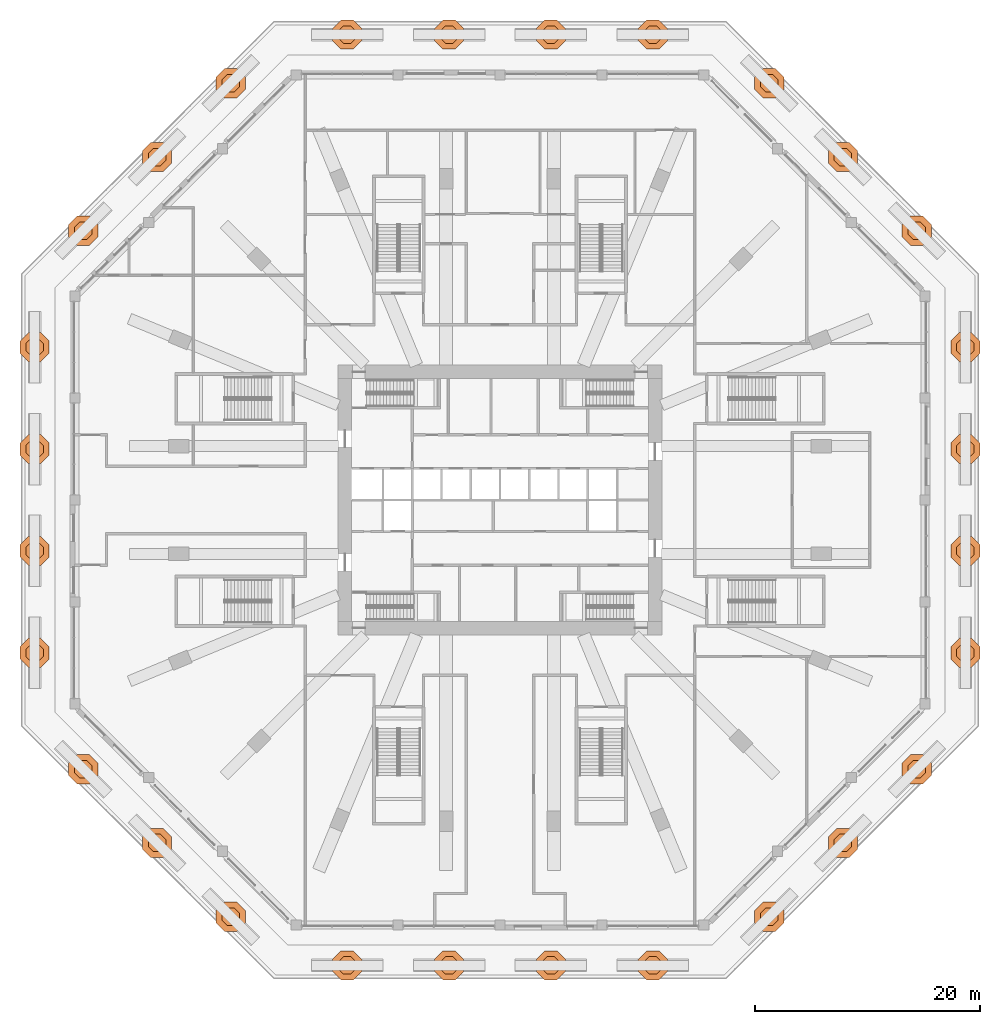
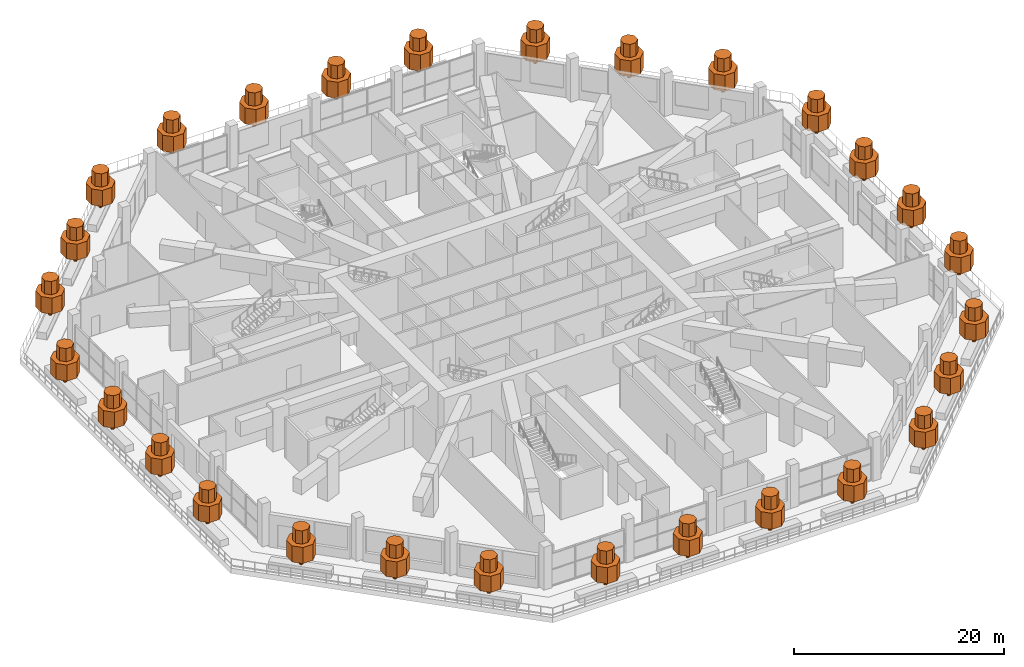
# One storey, part 25 of 25: 28 geographic elements.
"""IFC4 building model written with IfcOpenShell, lengths in metres."""

from ifc_helpers import new_model, si_unit, direction, frame, origin, place, context, subcontext, project, spatial, polyline, outline, extrude, material, type_object, element, save


model = new_model("IFC4")

# Units and contexts
model_context = context("Model", 3, precision=1e-05, world=origin(), true_north=direction((0.0, 1.0)))
body_context = subcontext(model_context, "Body", "Model", "MODEL_VIEW")
ifc_project = project(units=[si_unit("LENGTHUNIT", "METRE"), si_unit("AREAUNIT", "SQUARE_METRE"), si_unit("VOLUMEUNIT", "CUBIC_METRE"), si_unit("PLANEANGLEUNIT", "RADIAN"), si_unit("MASSUNIT", "GRAM", prefix="KILO")], contexts=[model_context])

# Site, building, storey
site_placement = place(None, origin())
site = spatial("IfcSite", under=ifc_project, at=site_placement, CompositionType="ELEMENT")
building_placement = place(site_placement, origin())
building = spatial("IfcBuilding", under=site, at=building_placement, Name="Msitu Wima Residences", CompositionType="ELEMENT")
storey_placement = place(building_placement, frame((0.0, 0.0, 11.0)))
storey = spatial("IfcBuildingStorey", under=building, at=storey_placement, Name="L02", CompositionType="ELEMENT", Elevation=11.0)

# Geographic elements
ifc_material = material(Name="Foliage and planting")
geographic_element_type = type_object("IfcGeographicElementType", Name="Tree TR1", PredefinedType="USERDEFINED", material=ifc_material)
for number, where, z_axis, x_axis, name in (
    (1, (41.39990234375, -13.595947265625, 0.89990234375), (0.0, 0.0, 1.0), (1.0, 0.0, 0.0), "Tree terrace L02-E01"),
    (2, (41.39990234375, -4.531982421875, 0.89990234375), (0.0, 0.0, 1.0), (1.0, 0.0, 0.0), "Tree terrace L02-E11"),
    (3, (41.39990234375, 4.531982421875, 0.89990234375), (0.0, 0.0, 1.0), (1.0, 0.0, 0.0), "Tree terrace L02-E21"),
    (4, (41.39990234375, 13.595947265625, 0.89990234375), (0.0, 0.0, 1.0), (1.0, 0.0, 0.0), "Tree terrace L02-E31"),
    (5, (37.06689453125, 23.9521484375, 0.89990234375), (0.0, 0.0, 1.0), (1.0, 0.0, 0.0), "Tree terrace L02-NE01"),
    (6, (30.509521484375, 30.509521484375, 0.89990234375), (0.0, 0.0, 1.0), (1.0, 0.0, 0.0), "Tree terrace L02-NE11"),
    (7, (23.9521484375, 37.06689453125, 0.89990234375), (0.0, 0.0, 1.0), (1.0, 0.0, 0.0), "Tree terrace L02-NE21"),
    (8, (13.595947265625, 41.39990234375, 0.89990234375), (0.0, 0.0, 1.0), (1.0, 0.0, 0.0), "Tree terrace L02-N01"),
    (9, (4.531982421875, 41.39990234375, 0.89990234375), (0.0, 0.0, 1.0), (1.0, 0.0, 0.0), "Tree terrace L02-N11"),
    (10, (-4.531982421875, 41.39990234375, 0.89990234375), (0.0, 0.0, 1.0), (1.0, 0.0, 0.0), "Tree terrace L02-N21"),
    (11, (-13.595947265625, 41.39990234375, 0.89990234375), (0.0, 0.0, 1.0), (1.0, 0.0, 0.0), "Tree terrace L02-N31"),
    (12, (-23.9521484375, 37.06689453125, 0.89990234375), (0.0, 0.0, 1.0), (1.0, 0.0, 0.0), "Tree terrace L02-NW01"),
    (13, (-30.509521484375, 30.509521484375, 0.89990234375), (0.0, 0.0, 1.0), (1.0, 0.0, 0.0), "Tree terrace L02-NW11"),
    (14, (-37.06689453125, 23.9521484375, 0.89990234375), (0.0, 0.0, 1.0), (1.0, 0.0, 0.0), "Tree terrace L02-NW21"),
    (15, (-41.39990234375, 13.595947265625, 0.89990234375), (0.0, 0.0, 1.0), (1.0, 0.0, 0.0), "Tree terrace L02-W01"),
    (16, (-41.39990234375, 4.531982421875, 0.89990234375), (0.0, 0.0, 1.0), (1.0, 0.0, 0.0), "Tree terrace L02-W11"),
    (17, (-41.39990234375, -4.531982421875, 0.89990234375), (0.0, 0.0, 1.0), (1.0, 0.0, 0.0), "Tree terrace L02-W21"),
    (18, (-41.39990234375, -13.595947265625, 0.89990234375), (0.0, 0.0, 1.0), (1.0, 0.0, 0.0), "Tree terrace L02-W31"),
    (19, (-37.06689453125, -23.9521484375, 0.89990234375), (0.0, 0.0, 1.0), (1.0, 0.0, 0.0), "Tree terrace L02-SW01"),
    (20, (-30.509521484375, -30.509521484375, 0.89990234375), (0.0, 0.0, 1.0), (1.0, 0.0, 0.0), "Tree terrace L02-SW11"),
    (21, (-23.9521484375, -37.06689453125, 0.89990234375), (0.0, 0.0, 1.0), (1.0, 0.0, 0.0), "Tree terrace L02-SW21"),
    (22, (-13.595947265625, -41.39990234375, 0.89990234375), (0.0, 0.0, 1.0), (1.0, 0.0, 0.0), "Tree terrace L02-S01"),
    (23, (-4.531982421875, -41.39990234375, 0.89990234375), (0.0, 0.0, 1.0), (1.0, 0.0, 0.0), "Tree terrace L02-S11"),
    (24, (4.531982421875, -41.39990234375, 0.89990234375), (0.0, 0.0, 1.0), (1.0, 0.0, 0.0), "Tree terrace L02-S21"),
    (25, (13.595947265625, -41.39990234375, 0.89990234375), (0.0, 0.0, 1.0), (1.0, 0.0, 0.0), "Tree terrace L02-S31"),
    (26, (23.9521484375, -37.06689453125, 0.89990234375), (0.0, 0.0, 1.0), (1.0, 0.0, 0.0), "Tree terrace L02-SE01"),
    (27, (30.509521484375, -30.509521484375, 0.89990234375), (0.0, 0.0, 1.0), (1.0, 0.0, 0.0), "Tree terrace L02-SE11"),
    (28, (37.06689453125, -23.9521484375, 0.89990234375), (0.0, 0.0, 1.0), (1.0, 0.0, 0.0), "Tree terrace L02-SE21"),
):
    element("IfcGeographicElement", number, at=place(storey_placement, frame(where, z_axis=z_axis, x_axis=x_axis)), inside=storey, type_object=geographic_element_type, Name=name, ObjectType="TREE", PredefinedType="USERDEFINED", context=body_context, shape_type="SweptSolid", body=[
        extrude(outline(polyline([(0.175048828125, 0.072509765625), (0.072509765625, 0.175048828125), (-0.072509765625, 0.175048828125), (-0.175048828125, 0.072509765625), (-0.175048828125, -0.072509765625), (-0.072509765625, -0.175048828125), (0.072509765625, -0.175048828125), (0.175048828125, -0.072509765625), (0.175048828125, 0.072509765625)])), origin(), (0.0, 0.0, 1.0), 1.10009765625),
        extrude(outline(polyline([(1.300048828125, 0.53857421875), (0.53857421875, 1.300048828125), (-0.53857421875, 1.300048828125), (-1.300048828125, 0.53857421875), (-1.300048828125, -0.53857421875), (-0.53857421875, -1.300048828125), (0.53857421875, -1.300048828125), (1.300048828125, -0.53857421875), (1.300048828125, 0.53857421875)])), frame((0.0, 0.0, 1.0)), (0.0, 0.0, 1.0), 1.8701171875),
        extrude(outline(polyline([(0.780029296875, 0.322998046875), (0.322998046875, 0.780029296875), (-0.322998046875, 0.780029296875), (-0.780029296875, 0.322998046875), (-0.780029296875, -0.322998046875), (-0.322998046875, -0.780029296875), (0.322998046875, -0.780029296875), (0.780029296875, -0.322998046875), (0.780029296875, 0.322998046875)])), frame((0.0, 0.0, 2.8701171875)), (0.0, 0.0, 1.0), 1.530029296875),
    ])

save(model, "model.ifc")
